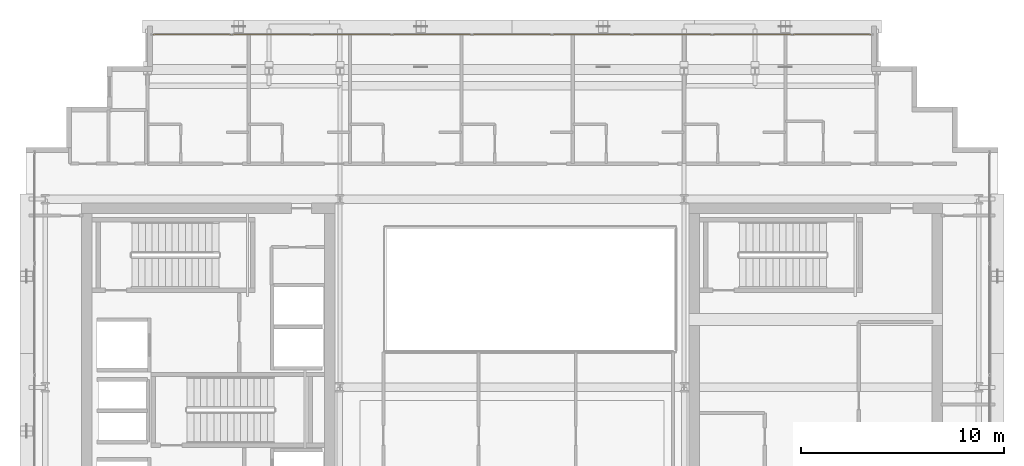
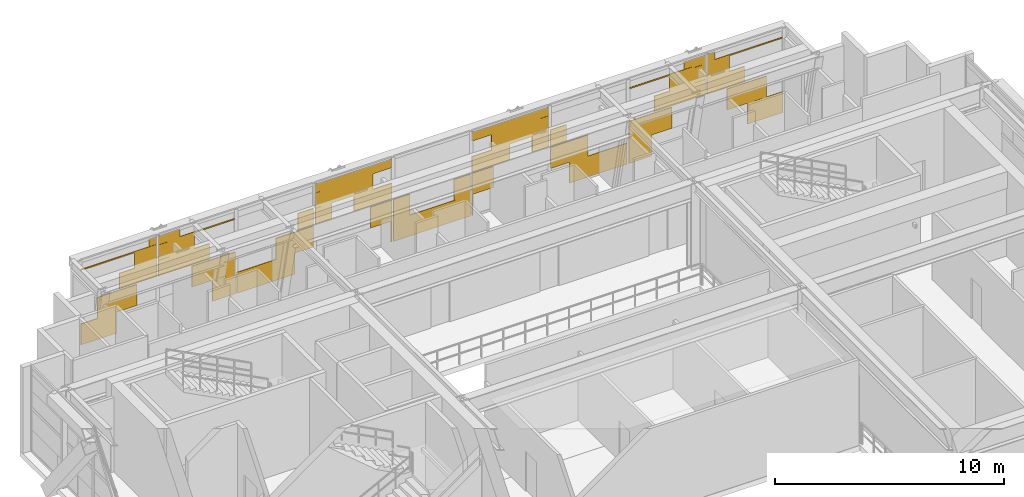
# One storey, part 31 of 31: 1 covering.
"""IFC4 building model written with IfcOpenShell, lengths in metres."""

from ifc_helpers import new_model, si_unit, direction, frame, origin, origin_2d, place, context, subcontext, project, spatial, rectangle, extrude, material, layer, layer_set, type_object, element, save


model = new_model("IFC4")

# Units and contexts
model_context = context("Model", 3, precision=1e-05, world=origin(), true_north=direction((0.0, 1.0)))
body_context = subcontext(model_context, "Body", "Model", "MODEL_VIEW")
ifc_project = project(units=[si_unit("LENGTHUNIT", "METRE"), si_unit("AREAUNIT", "SQUARE_METRE"), si_unit("VOLUMEUNIT", "CUBIC_METRE"), si_unit("PLANEANGLEUNIT", "RADIAN"), si_unit("MASSUNIT", "GRAM", prefix="KILO")], contexts=[model_context])

# Site, building, storey
site_placement = place(None, origin())
site = spatial("IfcSite", under=ifc_project, at=site_placement, CompositionType="ELEMENT")
building_placement = place(site_placement, origin())
building = spatial("IfcBuilding", under=site, at=building_placement, Name="Ocotamira Hotel", CompositionType="ELEMENT")
storey_placement = place(building_placement, frame((0.0, 0.0, 228.0)))
storey = spatial("IfcBuildingStorey", under=building, at=storey_placement, Name="L57", CompositionType="ELEMENT", Elevation=228.0)

# Covering
ifc_material = material(Name="Insulated pale-metal aluminium spandrel panel", Category="aluminium")
ifc_layer = layer(ifc_material, 0.044921875)
ifc_layer_set = layer_set([ifc_layer], Name="Insulated pale-metal aluminium spandrel panel")
covering_type = type_object("IfcCoveringType", Name="COV-INFILL-45", PredefinedType="CLADDING", material=ifc_layer_set)
covering_placement = place(storey_placement, origin())
element("IfcCovering", 1, at=covering_placement, inside=storey, type_object=covering_type, Name="L57 Curtain Wall Infill CW-5 CW-L57-N", PredefinedType="CLADDING", context=body_context, shape_type="SweptSolid", body=[
    extrude(rectangle(XDim=1.7919921875, YDim=0.044921875, at=origin_2d()), frame((15.176513671875, 45.580078125, 0.07568359375), z_axis=(0.0, 0.0, 1.0), x_axis=(1.0, 0.0, 0.0)), (0.0, 0.0, 1.0), 1.117919921875),
    extrude(rectangle(XDim=1.989013671875, YDim=0.044921875, at=origin_2d()), frame((16.114013671875, 45.580078125, 1.1943359375), z_axis=(0.0, 0.0, 1.0), x_axis=(1.0, 0.0, 0.0)), (0.0, 0.0, 1.0), 1.117919921875),
    extrude(rectangle(XDim=3.834716796875, YDim=0.044921875, at=origin_2d()), frame((16.19775390625, 45.580078125, 4.04150390625), z_axis=(0.0, 0.0, 1.0), x_axis=(1.0, 0.0, 0.0)), (0.0, 0.0, 1.0), 0.068603515625),
    extrude(rectangle(XDim=1.89013671875, YDim=0.044921875, at=origin_2d()), frame((17.169921875, 45.580078125, 2.387939453125), z_axis=(0.0, 0.0, 1.0), x_axis=(1.0, 0.0, 0.0)), (0.0, 0.0, 1.0), 0.82568359375),
    extrude(rectangle(XDim=1.12451171875, YDim=0.044921875, at=origin_2d()), frame((17.552734375, 45.580078125, 3.21484375), z_axis=(0.0, 0.0, 1.0), x_axis=(1.0, 0.0, 0.0)), (0.0, 0.0, 1.0), 0.82568359375),
    extrude(rectangle(XDim=0.3935546875, YDim=0.044921875, at=origin_2d()), frame((17.918212890625, 45.580078125, 4.111328125), z_axis=(0.0, 0.0, 1.0), x_axis=(1.0, 0.0, 0.0)), (0.0, 0.0, 1.0), 0.393310546875),
    extrude(rectangle(XDim=2.178955078125, YDim=0.044921875, at=origin_2d()), frame((20.981201171875, 45.580078125, 1.1943359375), z_axis=(0.0, 0.0, 1.0), x_axis=(1.0, 0.0, 0.0)), (0.0, 0.0, 1.0), 1.117919921875),
    extrude(rectangle(XDim=1.143310546875, YDim=0.044921875, at=origin_2d()), frame((21.4990234375, 45.580078125, 0.07568359375), z_axis=(0.0, 0.0, 1.0), x_axis=(1.0, 0.0, 0.0)), (0.0, 0.0, 1.0), 1.117919921875),
    extrude(rectangle(XDim=2.5791015625, YDim=0.044921875, at=origin_2d()), frame((19.485595703125, 45.580078125, 2.387939453125), z_axis=(0.0, 0.0, 1.0), x_axis=(1.0, 0.0, 0.0)), (0.0, 0.0, 1.0), 0.82568359375),
    extrude(rectangle(XDim=1.8134765625, YDim=0.044921875, at=origin_2d()), frame((19.102783203125, 45.580078125, 3.21484375), z_axis=(0.0, 0.0, 1.0), x_axis=(1.0, 0.0, 0.0)), (0.0, 0.0, 1.0), 0.82568359375),
    extrude(rectangle(XDim=3.87451171875, YDim=0.044921875, at=origin_2d()), frame((20.13330078125, 45.580078125, 4.04150390625), z_axis=(0.0, 0.0, 1.0), x_axis=(1.0, 0.0, 0.0)), (0.0, 0.0, 1.0), 0.068603515625),
    extrude(rectangle(XDim=1.08251953125, YDim=0.044921875, at=origin_2d()), frame((18.7373046875, 45.580078125, 4.111328125), z_axis=(0.0, 0.0, 1.0), x_axis=(1.0, 0.0, 0.0)), (0.0, 0.0, 1.0), 0.393310546875),
    extrude(rectangle(XDim=2.9208984375, YDim=0.044921875, at=origin_2d()), frame((23.612060546875, 45.580078125, 0.07568359375), z_axis=(0.0, 0.0, 1.0), x_axis=(1.0, 0.0, 0.0)), (0.0, 0.0, 1.0), 1.117919921875),
    extrude(rectangle(XDim=1.906494140625, YDim=0.044921875, at=origin_2d()), frame((25.072998046875, 45.580078125, 1.1943359375), z_axis=(0.0, 0.0, 1.0), x_axis=(1.0, 0.0, 0.0)), (0.0, 0.0, 1.0), 1.117919921875),
    extrude(rectangle(XDim=0.80126953125, YDim=0.044921875, at=origin_2d()), frame((25.62548828125, 45.580078125, 2.38818359375), z_axis=(0.0, 0.0, 1.0), x_axis=(1.0, 0.0, 0.0)), (0.0, 0.0, 1.0), 0.860595703125),
    extrude(rectangle(XDim=1.090087890625, YDim=0.044921875, at=origin_2d()), frame((29.4365234375, 45.580078125, 1.1943359375), z_axis=(0.0, 0.0, 1.0), x_axis=(1.0, 0.0, 0.0)), (0.0, 0.0, 1.0), 1.117919921875),
    extrude(rectangle(XDim=0.05419921875, YDim=0.044921875, at=origin_2d()), frame((29.95458984375, 45.580078125, 0.07568359375), z_axis=(0.0, 0.0, 1.0), x_axis=(1.0, 0.0, 0.0)), (0.0, 0.0, 1.0), 1.117919921875),
    extrude(rectangle(XDim=0.836181640625, YDim=0.044921875, at=origin_2d()), frame((26.525390625, 45.580078125, 2.387939453125), z_axis=(0.0, 0.0, 1.0), x_axis=(1.0, 0.0, 0.0)), (0.0, 0.0, 1.0), 0.82568359375),
    extrude(rectangle(XDim=2.90234375, YDim=0.044921875, at=origin_2d()), frame((27.558349609375, 45.580078125, 3.21484375), z_axis=(0.0, 0.0, 1.0), x_axis=(1.0, 0.0, 0.0)), (0.0, 0.0, 1.0), 0.82568359375),
    extrude(rectangle(XDim=3.87451171875, YDim=0.044921875, at=origin_2d()), frame((28.04443359375, 45.580078125, 4.04150390625), z_axis=(0.0, 0.0, 1.0), x_axis=(1.0, 0.0, 0.0)), (0.0, 0.0, 1.0), 0.462890625),
    extrude(rectangle(XDim=1.92529296875, YDim=0.044921875, at=origin_2d()), frame((29.01904296875, 45.580078125, 2.387939453125), z_axis=(0.0, 0.0, 1.0), x_axis=(1.0, 0.0, 0.0)), (0.0, 0.0, 1.0), 0.82568359375),
    extrude(rectangle(XDim=3.87451171875, YDim=0.044921875, at=origin_2d()), frame((32.0, 45.580078125, 0.07568359375), z_axis=(0.0, 0.0, 1.0), x_axis=(1.0, 0.0, 0.0)), (0.0, 0.0, 1.0), 1.117919921875),
    extrude(rectangle(XDim=0.817626953125, YDim=0.044921875, at=origin_2d()), frame((30.4716796875, 45.580078125, 1.1943359375), z_axis=(0.0, 0.0, 1.0), x_axis=(1.0, 0.0, 0.0)), (0.0, 0.0, 1.0), 1.117919921875),
    extrude(rectangle(XDim=0.817626953125, YDim=0.044921875, at=origin_2d()), frame((33.5283203125, 45.580078125, 1.1943359375), z_axis=(0.0, 0.0, 1.0), x_axis=(1.0, 0.0, 0.0)), (0.0, 0.0, 1.0), 1.117919921875),
    extrude(rectangle(XDim=0.05419921875, YDim=0.044921875, at=origin_2d()), frame((34.04541015625, 45.580078125, 0.07568359375), z_axis=(0.0, 0.0, 1.0), x_axis=(1.0, 0.0, 0.0)), (0.0, 0.0, 1.0), 1.117919921875),
    extrude(rectangle(XDim=1.090087890625, YDim=0.044921875, at=origin_2d()), frame((34.5634765625, 45.580078125, 1.1943359375), z_axis=(0.0, 0.0, 1.0), x_axis=(1.0, 0.0, 0.0)), (0.0, 0.0, 1.0), 1.117919921875),
    extrude(rectangle(XDim=1.92529296875, YDim=0.044921875, at=origin_2d()), frame((34.98095703125, 45.580078125, 2.387939453125), z_axis=(0.0, 0.0, 1.0), x_axis=(1.0, 0.0, 0.0)), (0.0, 0.0, 1.0), 0.82568359375),
    extrude(rectangle(XDim=3.87451171875, YDim=0.044921875, at=origin_2d()), frame((35.95556640625, 45.580078125, 4.04150390625), z_axis=(0.0, 0.0, 1.0), x_axis=(1.0, 0.0, 0.0)), (0.0, 0.0, 1.0), 0.462890625),
    extrude(rectangle(XDim=2.90234375, YDim=0.044921875, at=origin_2d()), frame((36.441650390625, 45.580078125, 3.21484375), z_axis=(0.0, 0.0, 1.0), x_axis=(1.0, 0.0, 0.0)), (0.0, 0.0, 1.0), 0.82568359375),
    extrude(rectangle(XDim=0.836181640625, YDim=0.044921875, at=origin_2d()), frame((37.474609375, 45.580078125, 2.387939453125), z_axis=(0.0, 0.0, 1.0), x_axis=(1.0, 0.0, 0.0)), (0.0, 0.0, 1.0), 0.82568359375),
    extrude(rectangle(XDim=1.906494140625, YDim=0.044921875, at=origin_2d()), frame((38.927001953125, 45.580078125, 1.1943359375), z_axis=(0.0, 0.0, 1.0), x_axis=(1.0, 0.0, 0.0)), (0.0, 0.0, 1.0), 1.117919921875),
    extrude(rectangle(XDim=2.9208984375, YDim=0.044921875, at=origin_2d()), frame((40.387939453125, 45.580078125, 0.07568359375), z_axis=(0.0, 0.0, 1.0), x_axis=(1.0, 0.0, 0.0)), (0.0, 0.0, 1.0), 1.117919921875),
    extrude(rectangle(XDim=0.80126953125, YDim=0.044921875, at=origin_2d()), frame((38.37451171875, 45.580078125, 2.38818359375), z_axis=(0.0, 0.0, 1.0), x_axis=(1.0, 0.0, 0.0)), (0.0, 0.0, 1.0), 0.860595703125),
    extrude(rectangle(XDim=1.143310546875, YDim=0.044921875, at=origin_2d()), frame((42.5009765625, 45.580078125, 0.07568359375), z_axis=(0.0, 0.0, 1.0), x_axis=(1.0, 0.0, 0.0)), (0.0, 0.0, 1.0), 1.117919921875),
    extrude(rectangle(XDim=2.17919921875, YDim=0.044921875, at=origin_2d()), frame((43.018798828125, 45.580078125, 1.1943359375), z_axis=(0.0, 0.0, 1.0), x_axis=(1.0, 0.0, 0.0)), (0.0, 0.0, 1.0), 1.117919921875),
    extrude(rectangle(XDim=3.87451171875, YDim=0.044921875, at=origin_2d()), frame((43.86669921875, 45.580078125, 4.04150390625), z_axis=(0.0, 0.0, 1.0), x_axis=(1.0, 0.0, 0.0)), (0.0, 0.0, 1.0), 0.068603515625),
    extrude(rectangle(XDim=2.5791015625, YDim=0.044921875, at=origin_2d()), frame((44.514404296875, 45.580078125, 2.387939453125), z_axis=(0.0, 0.0, 1.0), x_axis=(1.0, 0.0, 0.0)), (0.0, 0.0, 1.0), 0.82568359375),
    extrude(rectangle(XDim=1.8134765625, YDim=0.044921875, at=origin_2d()), frame((44.897216796875, 45.580078125, 3.21484375), z_axis=(0.0, 0.0, 1.0), x_axis=(1.0, 0.0, 0.0)), (0.0, 0.0, 1.0), 0.82568359375),
    extrude(rectangle(XDim=1.08251953125, YDim=0.044921875, at=origin_2d()), frame((45.2626953125, 45.580078125, 4.111328125), z_axis=(0.0, 0.0, 1.0), x_axis=(1.0, 0.0, 0.0)), (0.0, 0.0, 1.0), 0.393310546875),
    extrude(rectangle(XDim=1.989013671875, YDim=0.044921875, at=origin_2d()), frame((47.885986328125, 45.580078125, 1.1943359375), z_axis=(0.0, 0.0, 1.0), x_axis=(1.0, 0.0, 0.0)), (0.0, 0.0, 1.0), 1.117919921875),
    extrude(rectangle(XDim=1.7919921875, YDim=0.044921875, at=origin_2d()), frame((48.823486328125, 45.580078125, 0.07568359375), z_axis=(0.0, 0.0, 1.0), x_axis=(1.0, 0.0, 0.0)), (0.0, 0.0, 1.0), 1.117919921875),
    extrude(rectangle(XDim=1.89013671875, YDim=0.044921875, at=origin_2d()), frame((46.830078125, 45.580078125, 2.387939453125), z_axis=(0.0, 0.0, 1.0), x_axis=(1.0, 0.0, 0.0)), (0.0, 0.0, 1.0), 0.82568359375),
    extrude(rectangle(XDim=1.12451171875, YDim=0.044921875, at=origin_2d()), frame((46.447265625, 45.580078125, 3.21484375), z_axis=(0.0, 0.0, 1.0), x_axis=(1.0, 0.0, 0.0)), (0.0, 0.0, 1.0), 0.82568359375),
    extrude(rectangle(XDim=3.834716796875, YDim=0.044921875, at=origin_2d()), frame((47.80224609375, 45.580078125, 4.04150390625), z_axis=(0.0, 0.0, 1.0), x_axis=(1.0, 0.0, 0.0)), (0.0, 0.0, 1.0), 0.068603515625),
    extrude(rectangle(XDim=0.3935546875, YDim=0.044921875, at=origin_2d()), frame((46.081787109375, 45.580078125, 4.111328125), z_axis=(0.0, 0.0, 1.0), x_axis=(1.0, 0.0, 0.0)), (0.0, 0.0, 1.0), 0.393310546875),
])

save(model, "model.ifc")
